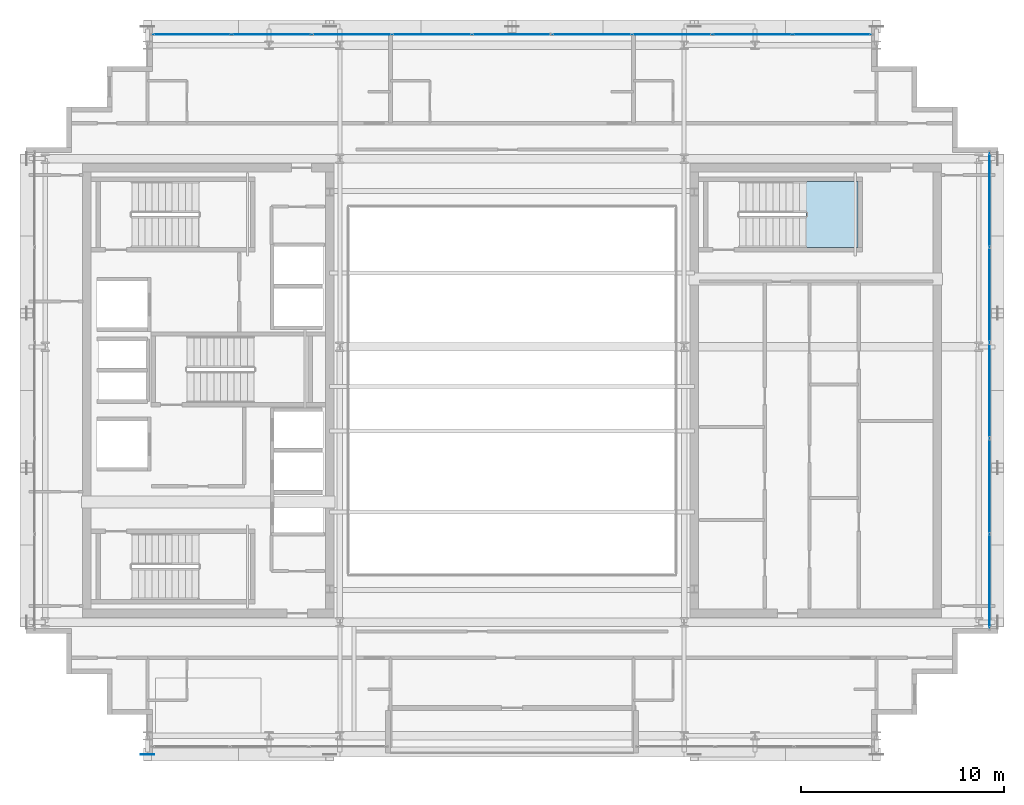
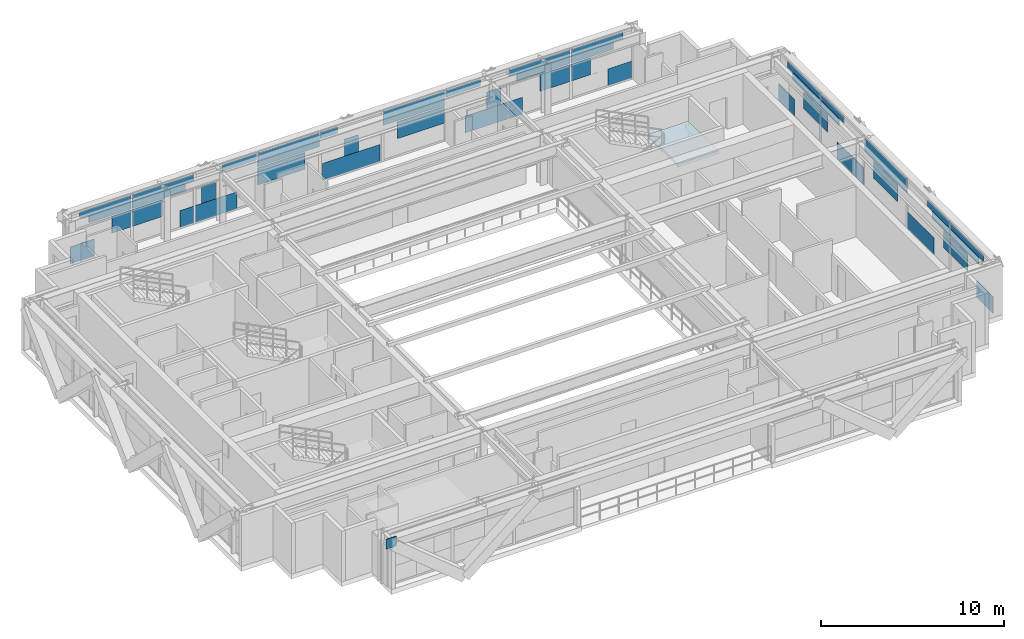
# One storey, part 19 of 29: 48 plates, 1 slab, 3 elements without a shape of their own.
"""IFC4 building model written with IfcOpenShell, lengths in metres."""

from ifc_helpers import new_model, si_unit, direction, frame, origin, origin_2d, place, context, subcontext, project, spatial, polyline, rectangle, outline, extrude, source, transform, mapped, material, layer, layer_set, type_object, element, aggregate, save


model = new_model("IFC4")

# Units and contexts
model_context = context("Model", 3, precision=1e-05, world=origin(), true_north=direction((0.0, 1.0)))
body_context = subcontext(model_context, "Body", "Model", "MODEL_VIEW")
ifc_project = project(units=[si_unit("LENGTHUNIT", "METRE"), si_unit("AREAUNIT", "SQUARE_METRE"), si_unit("VOLUMEUNIT", "CUBIC_METRE"), si_unit("PLANEANGLEUNIT", "RADIAN"), si_unit("MASSUNIT", "GRAM", prefix="KILO")], contexts=[model_context])

# Site, building, storey
site_placement = place(None, origin())
site = spatial("IfcSite", under=ifc_project, at=site_placement, CompositionType="ELEMENT")
building_placement = place(site_placement, origin())
building = spatial("IfcBuilding", under=site, at=building_placement, Name="Ocotamira Hotel", CompositionType="ELEMENT")
storey_placement = place(building_placement, frame((0.0, 0.0, 247.199951171875)))
storey = spatial("IfcBuildingStorey", under=building, at=storey_placement, Name="L62", CompositionType="ELEMENT", Elevation=247.199951171875)

# Stair, slab
ifc_material_1 = material(Name="Concrete C40/50", Category="concrete")
stair_type = type_object("IfcStairType", Name="ST-CORE-1560", PredefinedType="HALF_TURN_STAIR", material=ifc_material_1)
stair_placement = place(storey_placement, origin())
stair = element("IfcStair", 1, at=stair_placement, inside=storey, type_object=stair_type, Name="L62 Exit Stair ST-4", PredefinedType="HALF_TURN_STAIR")
ifc_layer_1 = layer(ifc_material_1, 0.199951171875)
ifc_layer_set_1 = layer_set([ifc_layer_1], Name="Concrete C40/50")
slab_type = type_object("IfcSlabType", Name="SLB-LAND-200", PredefinedType="LANDING", material=ifc_layer_set_1)
slab_placement = place(storey_placement, frame((0.0, 0.0, 1.60009765625)))
slab = element("IfcSlab", 2, at=slab_placement, type_object=slab_type, Name="ST-4 landing 1", PredefinedType="LANDING", context=body_context, shape_type="SweptSolid", body=[
    extrude(outline(polyline([(46.530029296875, 33.050048828125), (49.090087890625, 33.050048828125), (49.090087890625, 36.330078125), (46.530029296875, 36.330078125), (46.530029296875, 33.050048828125)])), origin(), (0.0, 0.0, 1.0), 0.199951171875),
])
aggregate(stair, [slab])

# Plate
ifc_material_2 = material(Name="Pale-metal coated steel ASTM A572 Grade 50", Category="steel")
ifc_layer_2 = layer(ifc_material_2, 0.0400390625)
ifc_layer_set_2 = layer_set([ifc_layer_2], Name="Pale-metal coated steel ASTM A572 Grade 50")
plate_type_1 = type_object("IfcPlateType", Name="PLT-GUSSET-40", PredefinedType="SHEET", material=ifc_layer_set_2)
shared_shape_1 = source(origin(), body_context, "Body", "SweptSolid", [
    extrude(rectangle(XDim=0.64990234375, YDim=0.0400390625, at=origin_2d()), origin(), (0.0, 0.0, 1.0), 0.64990234375),
])
plate_1_placement = place(storey_placement, frame((14.0, 8.030029296875, 2.80517578125), z_axis=(0.0, 0.0, 1.0), x_axis=(-1.0, 0.0, 0.0)))
element("IfcPlate", 3, at=plate_1_placement, inside=storey, type_object=plate_type_1, Name="L62 Exoskeleton Diagrid S0.1 End Gusset B", PredefinedType="SHEET", context=body_context, shape_type="MappedRepresentation", body=[
    mapped(shared_shape_1, transform((0.0, 0.0, 0.0), scale=1.0)),
])

# Curtain wall, plates
ifc_material_3 = material(Name="Anodised pale-metal aluminium and solar glass", Category="aluminium")
ifc_layer_3 = layer(ifc_material_3, 0.239990234375)
ifc_layer_set_3 = layer_set([ifc_layer_3], Name="Anodised pale-metal aluminium and solar glass")
curtain_wall_type = type_object("IfcCurtainWallType", Name="CW-SYS5-SKY", PredefinedType="NOTDEFINED", material=ifc_layer_set_3)
curtain_wall_1_placement = place(storey_placement, origin())
curtain_wall_1 = element("IfcCurtainWall", 4, at=curtain_wall_1_placement, inside=storey, type_object=curtain_wall_type, Name="L62 Curtain Wall CW-5 CW-L62-N", PredefinedType="NOTDEFINED")
ifc_material_4 = material(Name="Double-silver low-E insulated solar glass", Category="glass")
ifc_layer_4 = layer(ifc_material_4, 0.031982421875)
ifc_layer_set_4 = layer_set([ifc_layer_4], Name="Double-silver low-E insulated solar glass")
plate_type_2 = type_object("IfcPlateType", Name="CWP-VISION-32", PredefinedType="CURTAIN_PANEL", material=ifc_layer_set_4)
shared_shape_2 = source(origin(), body_context, "Body", "SweptSolid", [
    extrude(rectangle(XDim=3.87548828125, YDim=0.031982421875, at=origin_2d()), origin(), (0.0, 0.0, 1.0), 0.91748046875),
])
plate_2_placement = place(storey_placement, frame((28.04443359375, 43.580078125, 2.387451171875), z_axis=(0.0, 0.0, 1.0), x_axis=(1.0, 0.0, 0.0)))
plate_2 = element("IfcPlate", 5, at=plate_2_placement, type_object=plate_type_2, Name="CW-5 panel 4.2", PredefinedType="CURTAIN_PANEL", context=body_context, shape_type="MappedRepresentation", body=[
    mapped(shared_shape_2, transform((0.0, 0.0, 0.0), scale=1.0)),
])
plate_3_placement = place(storey_placement, frame((35.95556640625, 43.580078125, 2.387451171875), z_axis=(0.0, 0.0, 1.0), x_axis=(1.0, 0.0, 0.0)))
plate_3 = element("IfcPlate", 6, at=plate_3_placement, type_object=plate_type_2, Name="CW-5 panel 6.2", PredefinedType="CURTAIN_PANEL", context=body_context, shape_type="MappedRepresentation", body=[
    mapped(shared_shape_2, transform((0.0, 0.0, 0.0), scale=1.0)),
])

# Curtain wall, plate
curtain_wall_2_placement = place(storey_placement, origin())
curtain_wall_2 = element("IfcCurtainWall", 7, at=curtain_wall_2_placement, inside=storey, type_object=curtain_wall_type, Name="L62 Curtain Wall CW-5 CW-L62-E", PredefinedType="NOTDEFINED")
shared_shape_3 = source(origin(), body_context, "Body", "SweptSolid", [
    extrude(rectangle(XDim=4.639892578125, YDim=0.031982421875, at=origin_2d()), origin(), (0.0, 0.0, 1.0), 0.91748046875),
])
plate_4_placement = place(storey_placement, frame((55.580078125, 26.0, 2.387451171875), z_axis=(0.0, 0.0, 1.0), x_axis=(0.0, 1.0, 0.0)))
plate_4 = element("IfcPlate", 8, at=plate_4_placement, type_object=plate_type_2, Name="CW-5 panel 3.2", PredefinedType="CURTAIN_PANEL", context=body_context, shape_type="MappedRepresentation", body=[
    mapped(shared_shape_3, transform((0.0, 0.0, 0.0), scale=1.0)),
])

# Plate
shared_shape_4 = source(origin(), body_context, "Body", "SweptSolid", [
    extrude(rectangle(XDim=1.523681640625, YDim=0.031982421875, at=origin_2d()), origin(), (0.0, 0.0, 1.0), 1.118896484375),
])
plate_5_placement = place(storey_placement, frame((15.0419921875, 43.580078125, 0.0751953125), z_axis=(0.0, 0.0, 1.0), x_axis=(1.0, 0.0, 0.0)))
plate_5 = element("IfcPlate", 9, at=plate_5_placement, type_object=plate_type_2, Name="CW-5 panel 1.1.1", PredefinedType="CURTAIN_PANEL", context=body_context, shape_type="MappedRepresentation", body=[
    mapped(shared_shape_4, transform((0.0, 0.0, 0.0), scale=1.0)),
])

plate_6_placement = place(storey_placement, frame((48.9580078125, 43.580078125, 0.0751953125), z_axis=(0.0, 0.0, 1.0), x_axis=(1.0, 0.0, 0.0)))
plate_6 = element("IfcPlate", 10, at=plate_6_placement, type_object=plate_type_2, Name="CW-5 panel 9.1.2", PredefinedType="CURTAIN_PANEL", context=body_context, shape_type="MappedRepresentation", body=[
    mapped(shared_shape_4, transform((0.0, 0.0, 0.0), scale=1.0)),
])

shared_shape_5 = source(origin(), body_context, "Body", "SweptSolid", [
    extrude(rectangle(XDim=1.209716796875, YDim=0.031982421875, at=origin_2d()), origin(), (0.0, 0.0, 1.0), 1.11865234375),
])
plate_7_placement = place(storey_placement, frame((17.5107421875, 43.580078125, 1.19384765625), z_axis=(0.0, 0.0, 1.0), x_axis=(1.0, 0.0, 0.0)))
plate_7 = element("IfcPlate", 11, at=plate_7_placement, type_object=plate_type_2, Name="CW-5 panel 1.1.2", PredefinedType="CURTAIN_PANEL", context=body_context, shape_type="MappedRepresentation", body=[
    mapped(shared_shape_5, transform((0.0, 0.0, 0.0), scale=1.0)),
])

plate_8_placement = place(storey_placement, frame((46.4892578125, 43.580078125, 1.19384765625), z_axis=(0.0, 0.0, 1.0), x_axis=(1.0, 0.0, 0.0)))
plate_8 = element("IfcPlate", 12, at=plate_8_placement, type_object=plate_type_2, Name="CW-5 panel 9.1.1", PredefinedType="CURTAIN_PANEL", context=body_context, shape_type="MappedRepresentation", body=[
    mapped(shared_shape_5, transform((0.0, 0.0, 0.0), scale=1.0)),
])

shared_shape_6 = source(origin(), body_context, "Body", "SweptSolid", [
    extrude(rectangle(XDim=3.2548828125, YDim=0.031982421875, at=origin_2d()), origin(), (0.0, 0.0, 1.0), 0.429443359375),
])
plate_9_placement = place(storey_placement, frame((16.488037109375, 43.580078125, 2.87548828125), z_axis=(0.0, 0.0, 1.0), x_axis=(1.0, 0.0, 0.0)))
plate_9 = element("IfcPlate", 13, at=plate_9_placement, type_object=plate_type_2, Name="CW-5 panel 1.2.1", PredefinedType="CURTAIN_PANEL", context=body_context, shape_type="MappedRepresentation", body=[
    mapped(shared_shape_6, transform((0.0, 0.0, 0.0), scale=1.0)),
])

plate_10_placement = place(storey_placement, frame((47.511962890625, 43.580078125, 2.87548828125), z_axis=(0.0, 0.0, 1.0), x_axis=(1.0, 0.0, 0.0)))
plate_10 = element("IfcPlate", 14, at=plate_10_placement, type_object=plate_type_2, Name="CW-5 panel 9.2.2", PredefinedType="CURTAIN_PANEL", context=body_context, shape_type="MappedRepresentation", body=[
    mapped(shared_shape_6, transform((0.0, 0.0, 0.0), scale=1.0)),
])

shared_shape_7 = source(origin(), body_context, "Body", "SweptSolid", [
    extrude(rectangle(XDim=2.661376953125, YDim=0.031982421875, at=origin_2d()), origin(), (0.0, 0.0, 1.0), 0.488037109375),
])
plate_11_placement = place(storey_placement, frame((16.784912109375, 43.580078125, 2.3876953125), z_axis=(0.0, 0.0, 1.0), x_axis=(1.0, 0.0, 0.0)))
plate_11 = element("IfcPlate", 15, at=plate_11_placement, type_object=plate_type_2, Name="CW-5 panel 1.2.2", PredefinedType="CURTAIN_PANEL", context=body_context, shape_type="MappedRepresentation", body=[
    mapped(shared_shape_7, transform((0.0, 0.0, 0.0), scale=1.0)),
])

plate_12_placement = place(storey_placement, frame((47.215087890625, 43.580078125, 2.3876953125), z_axis=(0.0, 0.0, 1.0), x_axis=(1.0, 0.0, 0.0)))
plate_12 = element("IfcPlate", 16, at=plate_12_placement, type_object=plate_type_2, Name="CW-5 panel 9.2.1", PredefinedType="CURTAIN_PANEL", context=body_context, shape_type="MappedRepresentation", body=[
    mapped(shared_shape_7, transform((0.0, 0.0, 0.0), scale=1.0)),
])

shared_shape_8 = source(origin(), body_context, "Body", "SweptSolid", [
    extrude(rectangle(XDim=1.8984375, YDim=0.031982421875, at=origin_2d()), origin(), (0.0, 0.0, 1.0), 1.11865234375),
])
plate_13_placement = place(storey_placement, frame((19.144775390625, 43.580078125, 1.19384765625), z_axis=(0.0, 0.0, 1.0), x_axis=(1.0, 0.0, 0.0)))
plate_13 = element("IfcPlate", 17, at=plate_13_placement, type_object=plate_type_2, Name="CW-5 panel 2.1.1", PredefinedType="CURTAIN_PANEL", context=body_context, shape_type="MappedRepresentation", body=[
    mapped(shared_shape_8, transform((0.0, 0.0, 0.0), scale=1.0)),
])

plate_14_placement = place(storey_placement, frame((44.855224609375, 43.580078125, 1.19384765625), z_axis=(0.0, 0.0, 1.0), x_axis=(1.0, 0.0, 0.0)))
plate_14 = element("IfcPlate", 18, at=plate_14_placement, type_object=plate_type_2, Name="CW-5 panel 8.1.2", PredefinedType="CURTAIN_PANEL", context=body_context, shape_type="MappedRepresentation", body=[
    mapped(shared_shape_8, transform((0.0, 0.0, 0.0), scale=1.0)),
])

shared_shape_9 = source(origin(), body_context, "Body", "SweptSolid", [
    extrude(rectangle(XDim=0.875, YDim=0.031982421875, at=origin_2d()), origin(), (0.0, 0.0, 1.0), 1.118896484375),
])
plate_15_placement = place(storey_placement, frame((21.6337890625, 43.580078125, 0.0751953125), z_axis=(0.0, 0.0, 1.0), x_axis=(1.0, 0.0, 0.0)))
plate_15 = element("IfcPlate", 19, at=plate_15_placement, type_object=plate_type_2, Name="CW-5 panel 2.1.2", PredefinedType="CURTAIN_PANEL", context=body_context, shape_type="MappedRepresentation", body=[
    mapped(shared_shape_9, transform((0.0, 0.0, 0.0), scale=1.0)),
])

plate_16_placement = place(storey_placement, frame((42.3662109375, 43.580078125, 0.0751953125), z_axis=(0.0, 0.0, 1.0), x_axis=(1.0, 0.0, 0.0)))
plate_16 = element("IfcPlate", 20, at=plate_16_placement, type_object=plate_type_2, Name="CW-5 panel 8.1.1", PredefinedType="CURTAIN_PANEL", context=body_context, shape_type="MappedRepresentation", body=[
    mapped(shared_shape_9, transform((0.0, 0.0, 0.0), scale=1.0)),
])

shared_shape_10 = source(origin(), body_context, "Body", "SweptSolid", [
    extrude(rectangle(XDim=3.350341796875, YDim=0.031982421875, at=origin_2d()), origin(), (0.0, 0.0, 1.0), 0.488037109375),
])
plate_17_placement = place(storey_placement, frame((19.87060546875, 43.580078125, 2.3876953125), z_axis=(0.0, 0.0, 1.0), x_axis=(1.0, 0.0, 0.0)))
plate_17 = element("IfcPlate", 21, at=plate_17_placement, type_object=plate_type_2, Name="CW-5 panel 2.2.1", PredefinedType="CURTAIN_PANEL", context=body_context, shape_type="MappedRepresentation", body=[
    mapped(shared_shape_10, transform((0.0, 0.0, 0.0), scale=1.0)),
])

plate_18_placement = place(storey_placement, frame((44.12939453125, 43.580078125, 2.3876953125), z_axis=(0.0, 0.0, 1.0), x_axis=(1.0, 0.0, 0.0)))
plate_18 = element("IfcPlate", 22, at=plate_18_placement, type_object=plate_type_2, Name="CW-5 panel 8.2.2", PredefinedType="CURTAIN_PANEL", context=body_context, shape_type="MappedRepresentation", body=[
    mapped(shared_shape_10, transform((0.0, 0.0, 0.0), scale=1.0)),
])

shared_shape_11 = source(origin(), body_context, "Body", "SweptSolid", [
    extrude(rectangle(XDim=3.87548828125, YDim=0.031982421875, at=origin_2d()), origin(), (0.0, 0.0, 1.0), 0.429443359375),
])
plate_19_placement = place(storey_placement, frame((20.13330078125, 43.580078125, 2.87548828125), z_axis=(0.0, 0.0, 1.0), x_axis=(1.0, 0.0, 0.0)))
plate_19 = element("IfcPlate", 23, at=plate_19_placement, type_object=plate_type_2, Name="CW-5 panel 2.2.2", PredefinedType="CURTAIN_PANEL", context=body_context, shape_type="MappedRepresentation", body=[
    mapped(shared_shape_11, transform((0.0, 0.0, 0.0), scale=1.0)),
])

plate_20_placement = place(storey_placement, frame((43.86669921875, 43.580078125, 2.87548828125), z_axis=(0.0, 0.0, 1.0), x_axis=(1.0, 0.0, 0.0)))
plate_20 = element("IfcPlate", 24, at=plate_20_placement, type_object=plate_type_2, Name="CW-5 panel 8.2.1", PredefinedType="CURTAIN_PANEL", context=body_context, shape_type="MappedRepresentation", body=[
    mapped(shared_shape_11, transform((0.0, 0.0, 0.0), scale=1.0)),
])

shared_shape_12 = source(origin(), body_context, "Body", "SweptSolid", [
    extrude(rectangle(XDim=2.652587890625, YDim=0.031982421875, at=origin_2d()), origin(), (0.0, 0.0, 1.0), 1.118896484375),
])
plate_21_placement = place(storey_placement, frame((23.4775390625, 43.580078125, 0.0751953125), z_axis=(0.0, 0.0, 1.0), x_axis=(1.0, 0.0, 0.0)))
plate_21 = element("IfcPlate", 25, at=plate_21_placement, type_object=plate_type_2, Name="CW-5 panel 3.1.1", PredefinedType="CURTAIN_PANEL", context=body_context, shape_type="MappedRepresentation", body=[
    mapped(shared_shape_12, transform((0.0, 0.0, 0.0), scale=1.0)),
])

plate_22_placement = place(storey_placement, frame((40.5224609375, 43.580078125, 0.0751953125), z_axis=(0.0, 0.0, 1.0), x_axis=(1.0, 0.0, 0.0)))
plate_22 = element("IfcPlate", 26, at=plate_22_placement, type_object=plate_type_2, Name="CW-5 panel 7.1.1", PredefinedType="CURTAIN_PANEL", context=body_context, shape_type="MappedRepresentation", body=[
    mapped(shared_shape_12, transform((0.0, 0.0, 0.0), scale=1.0)),
])

shared_shape_13 = source(origin(), body_context, "Body", "SweptSolid", [
    extrude(rectangle(XDim=0.88623046875, YDim=0.031982421875, at=origin_2d()), origin(), (0.0, 0.0, 1.0), 1.11865234375),
])
plate_23_placement = place(storey_placement, frame((23.0, 43.580078125, 1.19384765625), z_axis=(0.0, 0.0, 1.0), x_axis=(1.0, 0.0, 0.0)))
plate_23 = element("IfcPlate", 27, at=plate_23_placement, type_object=plate_type_2, Name="CW-5 panel 3.1.2", PredefinedType="CURTAIN_PANEL", context=body_context, shape_type="MappedRepresentation", body=[
    mapped(shared_shape_13, transform((0.0, 0.0, 0.0), scale=1.0)),
])

plate_24_placement = place(storey_placement, frame((32.0, 43.580078125, 1.19384765625), z_axis=(0.0, 0.0, 1.0), x_axis=(1.0, 0.0, 0.0)))
plate_24 = element("IfcPlate", 28, at=plate_24_placement, type_object=plate_type_2, Name="CW-5 panel 5.1.2", PredefinedType="CURTAIN_PANEL", context=body_context, shape_type="MappedRepresentation", body=[
    mapped(shared_shape_13, transform((0.0, 0.0, 0.0), scale=1.0)),
])

plate_25_placement = place(storey_placement, frame((41.0, 43.580078125, 1.19384765625), z_axis=(0.0, 0.0, 1.0), x_axis=(1.0, 0.0, 0.0)))
plate_25 = element("IfcPlate", 29, at=plate_25_placement, type_object=plate_type_2, Name="CW-5 panel 7.1.2", PredefinedType="CURTAIN_PANEL", context=body_context, shape_type="MappedRepresentation", body=[
    mapped(shared_shape_13, transform((0.0, 0.0, 0.0), scale=1.0)),
])

shared_shape_14 = source(origin(), body_context, "Body", "SweptSolid", [
    extrude(rectangle(XDim=2.166015625, YDim=0.031982421875, at=origin_2d()), origin(), (0.0, 0.0, 1.0), 0.429443359375),
])
plate_26_placement = place(storey_placement, frame((24.943603515625, 43.580078125, 2.87548828125), z_axis=(0.0, 0.0, 1.0), x_axis=(1.0, 0.0, 0.0)))
plate_26 = element("IfcPlate", 30, at=plate_26_placement, type_object=plate_type_2, Name="CW-5 panel 3.2.1", PredefinedType="CURTAIN_PANEL", context=body_context, shape_type="MappedRepresentation", body=[
    mapped(shared_shape_14, transform((0.0, 0.0, 0.0), scale=1.0)),
])

plate_27_placement = place(storey_placement, frame((39.056396484375, 43.580078125, 2.87548828125), z_axis=(0.0, 0.0, 1.0), x_axis=(1.0, 0.0, 0.0)))
plate_27 = element("IfcPlate", 31, at=plate_27_placement, type_object=plate_type_2, Name="CW-5 panel 7.2.1", PredefinedType="CURTAIN_PANEL", context=body_context, shape_type="MappedRepresentation", body=[
    mapped(shared_shape_14, transform((0.0, 0.0, 0.0), scale=1.0)),
])

shared_shape_15 = source(origin(), body_context, "Body", "SweptSolid", [
    extrude(rectangle(XDim=2.9873046875, YDim=0.031982421875, at=origin_2d()), origin(), (0.0, 0.0, 1.0), 1.11865234375),
])
plate_28_placement = place(storey_placement, frame((27.600341796875, 43.580078125, 1.19384765625), z_axis=(0.0, 0.0, 1.0), x_axis=(1.0, 0.0, 0.0)))
plate_28 = element("IfcPlate", 32, at=plate_28_placement, type_object=plate_type_2, Name="CW-5 panel 4.1.1", PredefinedType="CURTAIN_PANEL", context=body_context, shape_type="MappedRepresentation", body=[
    mapped(shared_shape_15, transform((0.0, 0.0, 0.0), scale=1.0)),
])

plate_29_placement = place(storey_placement, frame((36.399658203125, 43.580078125, 1.19384765625), z_axis=(0.0, 0.0, 1.0), x_axis=(1.0, 0.0, 0.0)))
plate_29 = element("IfcPlate", 33, at=plate_29_placement, type_object=plate_type_2, Name="CW-5 panel 6.1.1", PredefinedType="CURTAIN_PANEL", context=body_context, shape_type="MappedRepresentation", body=[
    mapped(shared_shape_15, transform((0.0, 0.0, 0.0), scale=1.0)),
])

shared_shape_16 = source(origin(), body_context, "Body", "SweptSolid", [
    extrude(rectangle(XDim=3.607666015625, YDim=0.031982421875, at=origin_2d()), origin(), (0.0, 0.0, 1.0), 1.118896484375),
])
plate_30_placement = place(storey_placement, frame((32.0, 43.580078125, 0.0751953125), z_axis=(0.0, 0.0, 1.0), x_axis=(1.0, 0.0, 0.0)))
plate_30 = element("IfcPlate", 34, at=plate_30_placement, type_object=plate_type_2, Name="CW-5 panel 5.1.1", PredefinedType="CURTAIN_PANEL", context=body_context, shape_type="MappedRepresentation", body=[
    mapped(shared_shape_16, transform((0.0, 0.0, 0.0), scale=1.0)),
])

shared_shape_17 = source(origin(), body_context, "Body", "SweptSolid", [
    extrude(rectangle(XDim=1.0771484375, YDim=0.031982421875, at=origin_2d()), origin(), (0.0, 0.0, 1.0), 0.429443359375),
])
plate_31_placement = place(storey_placement, frame((30.600830078125, 43.580078125, 2.87548828125), z_axis=(0.0, 0.0, 1.0), x_axis=(1.0, 0.0, 0.0)))
plate_31 = element("IfcPlate", 35, at=plate_31_placement, type_object=plate_type_2, Name="CW-5 panel 5.2.1", PredefinedType="CURTAIN_PANEL", context=body_context, shape_type="MappedRepresentation", body=[
    mapped(shared_shape_17, transform((0.0, 0.0, 0.0), scale=1.0)),
])

aggregate(curtain_wall_1, [plate_5, plate_7, plate_9, plate_11, plate_13, plate_15, plate_17, plate_19, plate_21, plate_23, plate_26, plate_28, plate_2, plate_30, plate_24, plate_31, plate_29, plate_3, plate_22, plate_25, plate_27, plate_16, plate_14, plate_20, plate_18, plate_8, plate_6, plate_12, plate_10])

shared_shape_18 = source(origin(), body_context, "Body", "SweptSolid", [
    extrude(rectangle(XDim=1.764404296875, YDim=0.031982421875, at=origin_2d()), origin(), (0.0, 0.0, 1.0), 1.118896484375),
])
plate_32_placement = place(storey_placement, frame((55.580078125, 15.162109375, 0.0751953125), z_axis=(0.0, 0.0, 1.0), x_axis=(0.0, 1.0, 0.0)))
plate_32 = element("IfcPlate", 36, at=plate_32_placement, type_object=plate_type_2, Name="CW-5 panel 1.1.1", PredefinedType="CURTAIN_PANEL", context=body_context, shape_type="MappedRepresentation", body=[
    mapped(shared_shape_18, transform((0.0, 0.0, 0.0), scale=1.0)),
])

plate_33_placement = place(storey_placement, frame((55.580078125, 36.837890625, 0.0751953125), z_axis=(0.0, 0.0, 1.0), x_axis=(0.0, 1.0, 0.0)))
plate_33 = element("IfcPlate", 37, at=plate_33_placement, type_object=plate_type_2, Name="CW-5 panel 5.1.2", PredefinedType="CURTAIN_PANEL", context=body_context, shape_type="MappedRepresentation", body=[
    mapped(shared_shape_18, transform((0.0, 0.0, 0.0), scale=1.0)),
])

shared_shape_19 = source(origin(), body_context, "Body", "SweptSolid", [
    extrude(rectangle(XDim=1.829833984375, YDim=0.031982421875, at=origin_2d()), origin(), (0.0, 0.0, 1.0), 1.11865234375),
])
plate_34_placement = place(storey_placement, frame((55.580078125, 17.965087890625, 1.19384765625), z_axis=(0.0, 0.0, 1.0), x_axis=(0.0, 1.0, 0.0)))
plate_34 = element("IfcPlate", 38, at=plate_34_placement, type_object=plate_type_2, Name="CW-5 panel 1.1.2", PredefinedType="CURTAIN_PANEL", context=body_context, shape_type="MappedRepresentation", body=[
    mapped(shared_shape_19, transform((0.0, 0.0, 0.0), scale=1.0)),
])

plate_35_placement = place(storey_placement, frame((55.580078125, 34.034912109375, 1.19384765625), z_axis=(0.0, 0.0, 1.0), x_axis=(0.0, 1.0, 0.0)))
plate_35 = element("IfcPlate", 39, at=plate_35_placement, type_object=plate_type_2, Name="CW-5 panel 5.1.1", PredefinedType="CURTAIN_PANEL", context=body_context, shape_type="MappedRepresentation", body=[
    mapped(shared_shape_19, transform((0.0, 0.0, 0.0), scale=1.0)),
])

shared_shape_20 = source(origin(), body_context, "Body", "SweptSolid", [
    extrude(rectangle(XDim=3.5859375, YDim=0.031982421875, at=origin_2d()), origin(), (0.0, 0.0, 1.0), 0.408935546875),
])
plate_36_placement = place(storey_placement, frame((55.580078125, 17.0869140625, 2.89599609375), z_axis=(0.0, 0.0, 1.0), x_axis=(0.0, 1.0, 0.0)))
plate_36 = element("IfcPlate", 40, at=plate_36_placement, type_object=plate_type_2, Name="CW-5 panel 1.2.1", PredefinedType="CURTAIN_PANEL", context=body_context, shape_type="MappedRepresentation", body=[
    mapped(shared_shape_20, transform((0.0, 0.0, 0.0), scale=1.0)),
])

plate_37_placement = place(storey_placement, frame((55.580078125, 34.912841796875, 2.89599609375), z_axis=(0.0, 0.0, 1.0), x_axis=(0.0, 1.0, 0.0)))
plate_37 = element("IfcPlate", 41, at=plate_37_placement, type_object=plate_type_2, Name="CW-5 panel 5.2.2", PredefinedType="CURTAIN_PANEL", context=body_context, shape_type="MappedRepresentation", body=[
    mapped(shared_shape_20, transform((0.0, 0.0, 0.0), scale=1.0)),
])

shared_shape_21 = source(origin(), body_context, "Body", "SweptSolid", [
    extrude(rectangle(XDim=3.061279296875, YDim=0.031982421875, at=origin_2d()), origin(), (0.0, 0.0, 1.0), 0.508544921875),
])
plate_38_placement = place(storey_placement, frame((55.580078125, 17.349365234375, 2.3876953125), z_axis=(0.0, 0.0, 1.0), x_axis=(0.0, 1.0, 0.0)))
plate_38 = element("IfcPlate", 42, at=plate_38_placement, type_object=plate_type_2, Name="CW-5 panel 1.2.2", PredefinedType="CURTAIN_PANEL", context=body_context, shape_type="MappedRepresentation", body=[
    mapped(shared_shape_21, transform((0.0, 0.0, 0.0), scale=1.0)),
])

plate_39_placement = place(storey_placement, frame((55.580078125, 34.650634765625, 2.3876953125), z_axis=(0.0, 0.0, 1.0), x_axis=(0.0, 1.0, 0.0)))
plate_39 = element("IfcPlate", 43, at=plate_39_placement, type_object=plate_type_2, Name="CW-5 panel 5.2.1", PredefinedType="CURTAIN_PANEL", context=body_context, shape_type="MappedRepresentation", body=[
    mapped(shared_shape_21, transform((0.0, 0.0, 0.0), scale=1.0)),
])

shared_shape_22 = source(origin(), body_context, "Body", "SweptSolid", [
    extrude(rectangle(XDim=0.72314453125, YDim=0.031982421875, at=origin_2d()), origin(), (0.0, 0.0, 1.0), 1.11865234375),
])
plate_40_placement = place(storey_placement, frame((55.580078125, 19.321533203125, 1.19384765625), z_axis=(0.0, 0.0, 1.0), x_axis=(0.0, 1.0, 0.0)))
plate_40 = element("IfcPlate", 44, at=plate_40_placement, type_object=plate_type_2, Name="CW-5 panel 2.1.1", PredefinedType="CURTAIN_PANEL", context=body_context, shape_type="MappedRepresentation", body=[
    mapped(shared_shape_22, transform((0.0, 0.0, 0.0), scale=1.0)),
])

plate_41_placement = place(storey_placement, frame((55.580078125, 32.678466796875, 1.19384765625), z_axis=(0.0, 0.0, 1.0), x_axis=(0.0, 1.0, 0.0)))
plate_41 = element("IfcPlate", 45, at=plate_41_placement, type_object=plate_type_2, Name="CW-5 panel 4.1.2", PredefinedType="CURTAIN_PANEL", context=body_context, shape_type="MappedRepresentation", body=[
    mapped(shared_shape_22, transform((0.0, 0.0, 0.0), scale=1.0)),
])

shared_shape_23 = source(origin(), body_context, "Body", "SweptSolid", [
    extrude(rectangle(XDim=2.9111328125, YDim=0.031982421875, at=origin_2d()), origin(), (0.0, 0.0, 1.0), 1.118896484375),
])
plate_42_placement = place(storey_placement, frame((55.580078125, 22.144287109375, 0.0751953125), z_axis=(0.0, 0.0, 1.0), x_axis=(0.0, 1.0, 0.0)))
plate_42 = element("IfcPlate", 46, at=plate_42_placement, type_object=plate_type_2, Name="CW-5 panel 2.1.2", PredefinedType="CURTAIN_PANEL", context=body_context, shape_type="MappedRepresentation", body=[
    mapped(shared_shape_23, transform((0.0, 0.0, 0.0), scale=1.0)),
])

plate_43_placement = place(storey_placement, frame((55.580078125, 29.855712890625, 0.0751953125), z_axis=(0.0, 0.0, 1.0), x_axis=(0.0, 1.0, 0.0)))
plate_43 = element("IfcPlate", 47, at=plate_43_placement, type_object=plate_type_2, Name="CW-5 panel 4.1.1", PredefinedType="CURTAIN_PANEL", context=body_context, shape_type="MappedRepresentation", body=[
    mapped(shared_shape_23, transform((0.0, 0.0, 0.0), scale=1.0)),
])

shared_shape_24 = source(origin(), body_context, "Body", "SweptSolid", [
    extrude(rectangle(XDim=1.95458984375, YDim=0.031982421875, at=origin_2d()), origin(), (0.0, 0.0, 1.0), 0.508544921875),
])
plate_44_placement = place(storey_placement, frame((55.580078125, 19.937255859375, 2.3876953125), z_axis=(0.0, 0.0, 1.0), x_axis=(0.0, 1.0, 0.0)))
plate_44 = element("IfcPlate", 48, at=plate_44_placement, type_object=plate_type_2, Name="CW-5 panel 2.2.1", PredefinedType="CURTAIN_PANEL", context=body_context, shape_type="MappedRepresentation", body=[
    mapped(shared_shape_24, transform((0.0, 0.0, 0.0), scale=1.0)),
])

plate_45_placement = place(storey_placement, frame((55.580078125, 32.062744140625, 2.3876953125), z_axis=(0.0, 0.0, 1.0), x_axis=(0.0, 1.0, 0.0)))
plate_45 = element("IfcPlate", 49, at=plate_45_placement, type_object=plate_type_2, Name="CW-5 panel 4.2.2", PredefinedType="CURTAIN_PANEL", context=body_context, shape_type="MappedRepresentation", body=[
    mapped(shared_shape_24, transform((0.0, 0.0, 0.0), scale=1.0)),
])

shared_shape_25 = source(origin(), body_context, "Body", "SweptSolid", [
    extrude(rectangle(XDim=2.479248046875, YDim=0.031982421875, at=origin_2d()), origin(), (0.0, 0.0, 1.0), 0.408935546875),
])
plate_46_placement = place(storey_placement, frame((55.580078125, 20.19970703125, 2.89599609375), z_axis=(0.0, 0.0, 1.0), x_axis=(0.0, 1.0, 0.0)))
plate_46 = element("IfcPlate", 50, at=plate_46_placement, type_object=plate_type_2, Name="CW-5 panel 2.2.2", PredefinedType="CURTAIN_PANEL", context=body_context, shape_type="MappedRepresentation", body=[
    mapped(shared_shape_25, transform((0.0, 0.0, 0.0), scale=1.0)),
])

plate_47_placement = place(storey_placement, frame((55.580078125, 31.80029296875, 2.89599609375), z_axis=(0.0, 0.0, 1.0), x_axis=(0.0, 1.0, 0.0)))
plate_47 = element("IfcPlate", 51, at=plate_47_placement, type_object=plate_type_2, Name="CW-5 panel 4.2.1", PredefinedType="CURTAIN_PANEL", context=body_context, shape_type="MappedRepresentation", body=[
    mapped(shared_shape_25, transform((0.0, 0.0, 0.0), scale=1.0)),
])

shared_shape_26 = source(origin(), body_context, "Body", "SweptSolid", [
    extrude(rectangle(XDim=2.633056640625, YDim=0.031982421875, at=origin_2d()), origin(), (0.0, 0.0, 1.0), 1.11865234375),
])
plate_48_placement = place(storey_placement, frame((55.580078125, 26.0, 1.19384765625), z_axis=(0.0, 0.0, 1.0), x_axis=(0.0, 1.0, 0.0)))
plate_48 = element("IfcPlate", 52, at=plate_48_placement, type_object=plate_type_2, Name="CW-5 panel 3.1.1", PredefinedType="CURTAIN_PANEL", context=body_context, shape_type="MappedRepresentation", body=[
    mapped(shared_shape_26, transform((0.0, 0.0, 0.0), scale=1.0)),
])

aggregate(curtain_wall_2, [plate_32, plate_34, plate_36, plate_38, plate_40, plate_42, plate_44, plate_46, plate_48, plate_4, plate_43, plate_41, plate_47, plate_45, plate_35, plate_33, plate_39, plate_37])

save(model, "model.ifc")
